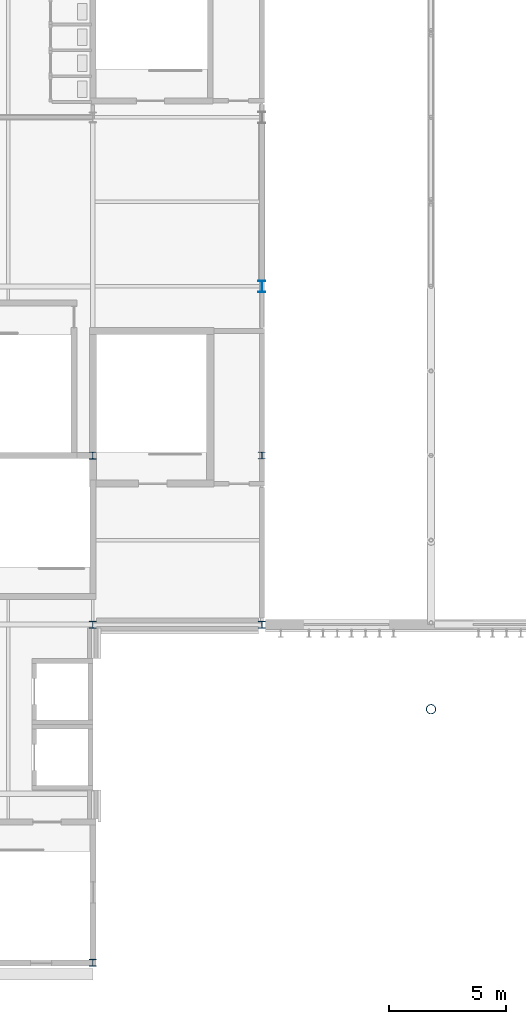
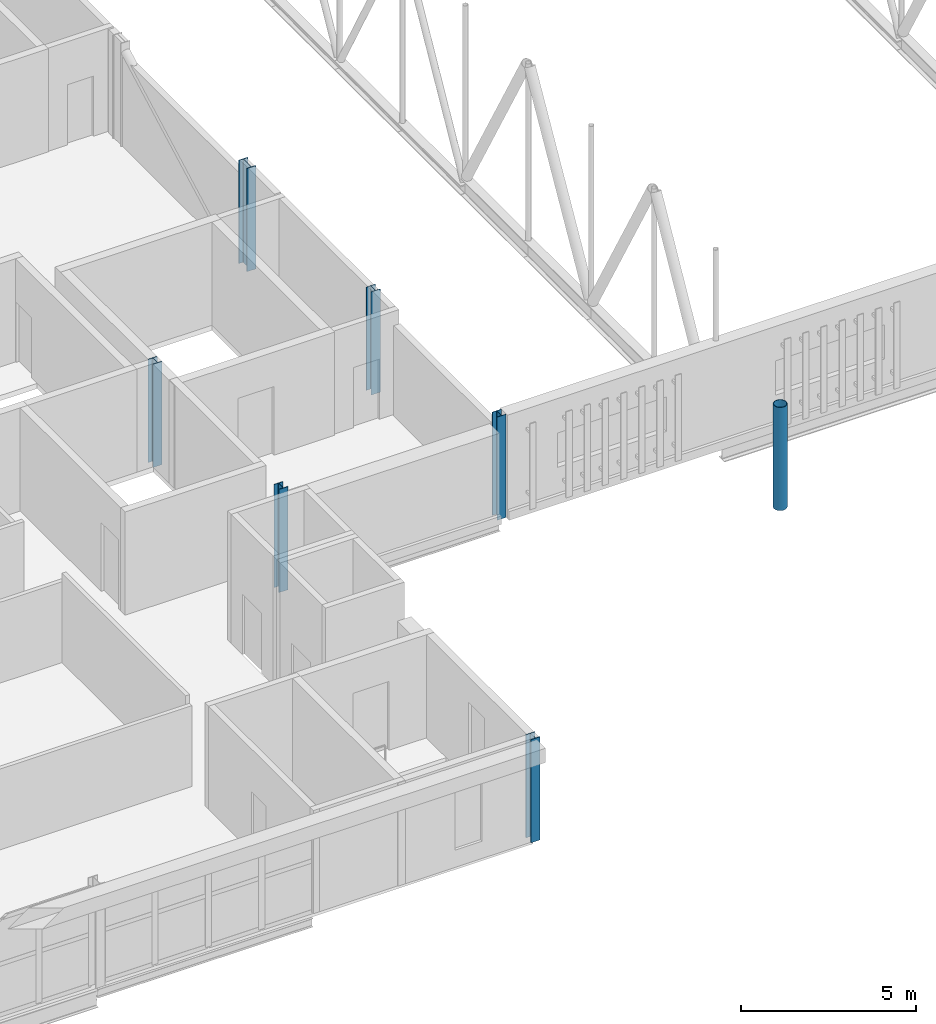
# One storey, part 5 of 142: 7 columns.
"""IFC4 building model written with IfcOpenShell, lengths in metres."""

from ifc_helpers import new_model, si_unit, direction, frame, origin, origin_2d, place, context, subcontext, project, spatial, hollow_circle, i_section, extrude, material, material_profile, profile_set, type_object, element, save


model = new_model("IFC4")

# Units and contexts
model_context = context("Model", 3, precision=1e-05, world=origin(), true_north=direction((0.0, 1.0)))
body_context = subcontext(model_context, "Body", "Model", "MODEL_VIEW")
ifc_project = project(units=[si_unit("LENGTHUNIT", "METRE"), si_unit("AREAUNIT", "SQUARE_METRE"), si_unit("VOLUMEUNIT", "CUBIC_METRE"), si_unit("PLANEANGLEUNIT", "RADIAN"), si_unit("MASSUNIT", "GRAM", prefix="KILO")], contexts=[model_context])

# Site, building, storey
site_placement = place(None, origin())
site = spatial("IfcSite", under=ifc_project, at=site_placement, CompositionType="ELEMENT")
building_placement = place(site_placement, origin())
building = spatial("IfcBuilding", under=site, at=building_placement, Name="Kupolbacken Congress Centre", CompositionType="ELEMENT")
storey_placement = place(building_placement, frame((0.0, 0.0, 14.39990234375)))
storey = spatial("IfcBuildingStorey", under=building, at=storey_placement, Name="L04", CompositionType="ELEMENT", Elevation=14.39990234375)

# Columns
ifc_material_1 = material(Name="Steel S355", Category="steel")
ifc_material_profile_1 = material_profile(ifc_material_1, i_section(OverallWidth=0.300048828125, OverallDepth=0.300048828125, WebThickness=0.010986328125, FlangeThickness=0.01904296875, FilletRadius=0.027099609375, at=origin_2d()), Name="HEB 300")
ifc_profile_set_1 = profile_set([ifc_material_profile_1], Name="Steel S355")
column_type_1 = type_object("IfcColumnType", Name="C06 column HEB 300", PredefinedType="COLUMN", material=ifc_profile_set_1)
for number, where, z_axis, x_axis, name in (
    (1, (79.199951171875, 28.800048828125, 0.0), (0.0, 0.0, 1.0), (1.0, 0.0, 0.0), "S/col/C-F-12E/L04"),
    (2, (79.199951171875, 43.199951171875, 0.0), (0.0, 0.0, 1.0), (1.0, 0.0, 0.0), "S/col/C-F-12G/L04"),
    (3, (79.199951171875, 50.39990234375, 0.0), (0.0, 0.0, 1.0), (1.0, 0.0, 0.0), "S/col/C-F-12H/L04"),
):
    element("IfcColumn", number, at=place(storey_placement, frame(where, z_axis=z_axis, x_axis=x_axis)), inside=storey, type_object=column_type_1, Name=name, PredefinedType="COLUMN", context=body_context, shape_type="SweptSolid", body=[
        extrude(i_section(OverallWidth=0.300048828125, OverallDepth=0.300048828125, WebThickness=0.010986328125, FlangeThickness=0.01904296875, FilletRadius=0.027099609375, at=origin_2d()), origin(), (0.0, 0.0, 1.0), 3.60009765625),
    ])
ifc_material_2 = material(Name="Steel S355", Category="steel")
ifc_material_profile_2 = material_profile(ifc_material_2, i_section(OverallWidth=0.300048828125, OverallDepth=0.2900390625, WebThickness=0.008544921875, FlangeThickness=0.013916015625, FilletRadius=0.027099609375, at=origin_2d()), Name="HEA 300")
ifc_profile_set_2 = profile_set([ifc_material_profile_2], Name="Steel S355")
column_type_2 = type_object("IfcColumnType", Name="C09 column HEA 300", PredefinedType="COLUMN", material=ifc_profile_set_2)
for number, where, z_axis, x_axis, name in (
    (4, (86.39990234375, 43.199951171875, 0.0), (0.0, 0.0, 1.0), (1.0, 0.0, 0.0), "S/col/C-H-PW01/L04"),
    (5, (86.39990234375, 50.39990234375, 0.0), (0.0, 0.0, 1.0), (1.0, 0.0, 0.0), "S/col/C-H-PW02/L04"),
):
    element("IfcColumn", number, at=place(storey_placement, frame(where, z_axis=z_axis, x_axis=x_axis)), inside=storey, type_object=column_type_2, Name=name, PredefinedType="COLUMN", context=body_context, shape_type="SweptSolid", body=[
        extrude(i_section(OverallWidth=0.300048828125, OverallDepth=0.2900390625, WebThickness=0.008544921875, FlangeThickness=0.013916015625, FilletRadius=0.027099609375, at=origin_2d()), origin(), (0.0, 0.0, 1.0), 3.60009765625),
    ])
ifc_material_3 = material(Name="Steel S355", Category="steel")
ifc_material_profile_3 = material_profile(ifc_material_3, i_section(OverallWidth=0.300048828125, OverallDepth=0.489990234375, WebThickness=0.011962890625, FlangeThickness=0.02294921875, FilletRadius=0.027099609375, at=origin_2d()), Name="HEA 500")
ifc_profile_set_3 = profile_set([ifc_material_profile_3], Name="Steel S355")
column_type_3 = type_object("IfcColumnType", Name="C14 column HEA 500", PredefinedType="COLUMN", material=ifc_profile_set_3)
column_1_placement = place(storey_placement, frame((86.39990234375, 57.60009765625, 0.0), z_axis=(0.0, 0.0, 1.0), x_axis=(1.0, 0.0, 0.0)))
element("IfcColumn", 6, at=column_1_placement, inside=storey, type_object=column_type_3, Name="S/col/C-H-PW03/L04", PredefinedType="COLUMN", context=body_context, shape_type="SweptSolid", body=[
    extrude(i_section(OverallWidth=0.300048828125, OverallDepth=0.489990234375, WebThickness=0.011962890625, FlangeThickness=0.02294921875, FilletRadius=0.027099609375, at=origin_2d()), origin(), (0.0, 0.0, 1.0), 3.60009765625),
])
ifc_material_4 = material(Name="Steel S355", Category="steel")
ifc_material_profile_4 = material_profile(ifc_material_4, hollow_circle(Radius=0.203125, WallThickness=0.01611328125, at=origin_2d()), Name="CHS 406.4 x 16")
ifc_profile_set_4 = profile_set([ifc_material_profile_4], Name="Steel S355")
column_type_4 = type_object("IfcColumnType", Name="C15 roof mast CHS 406.4 x 16", PredefinedType="COLUMN", material=ifc_profile_set_4)
column_2_placement = place(storey_placement, frame((93.60009765625, 39.60009765625, 0.0), z_axis=(0.0, 0.0, 1.0), x_axis=(1.0, 0.0, 0.0)))
element("IfcColumn", 7, at=column_2_placement, inside=storey, type_object=column_type_4, Name="Roof mast M1S", PredefinedType="COLUMN", context=body_context, shape_type="SweptSolid", body=[
    extrude(hollow_circle(Radius=0.203125, WallThickness=0.01611328125, at=origin_2d()), origin(), (0.0, 0.0, 1.0), 3.60009765625),
])

save(model, "model.ifc")
